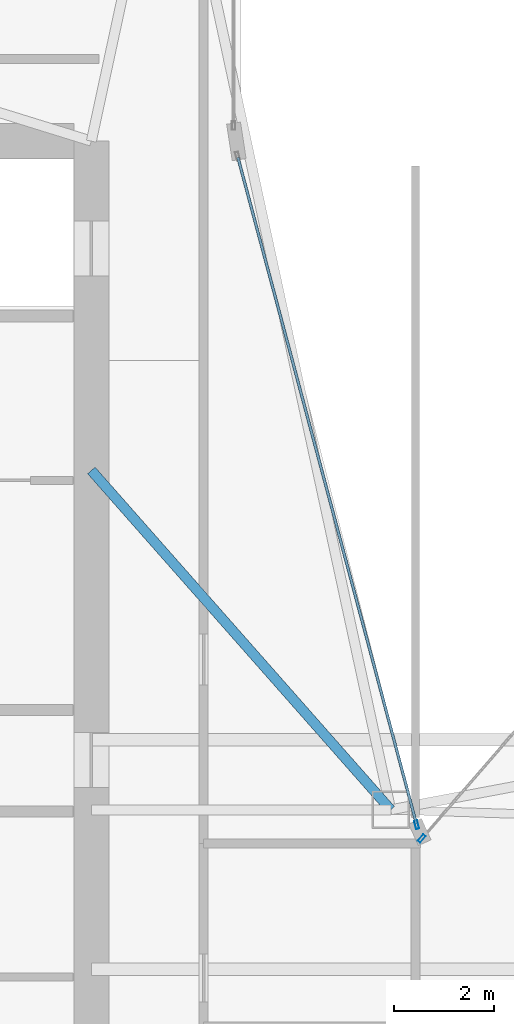
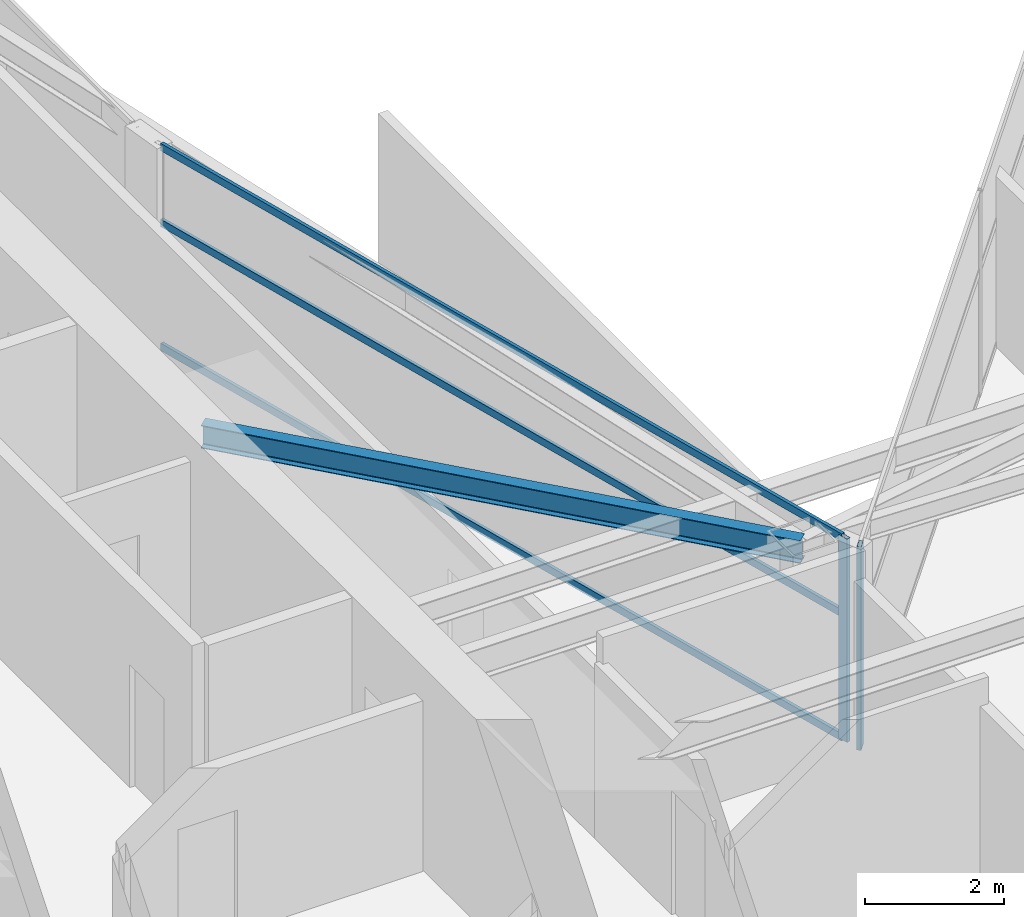
# One storey, part 11 of 29: 5 members, 1 beam, 2 elements without a shape of their own.
"""IFC4 building model written with IfcOpenShell, lengths in metres."""

import ifcopenshell
import ifcopenshell.guid

model = None  # the IFC model being written
_history = None  # IfcOwnerHistory: only IFC2X3 demands one
_inside = {}  # id of a spatial element -> (the spatial element, [elements in it])
_under = {}  # id of a project, library or spatial element -> (it, [spatial elements below it])
_declared = {}  # id of a project -> (the project, [libraries it declares])
_typed = {}  # id of a type object -> (the type object, [elements of that type])
_made_of = {}  # id of a material, layer set ... -> (it, [elements and type objects made of it])


def new_model(schema):
    """Start an empty IFC model of exactly this schema.

    Asked for "IFC4X3", IfcOpenShell would pick the latest addendum, in which some entities
    have other attributes; the version numbers below select the first issue.
    IFC2X3 requires an IfcOwnerHistory on every rooted entity: one is made here for all.
    """
    global model, _history
    if schema == "IFC4X3":
        model = ifcopenshell.file(schema_version=(4, 3, 0, 0))
    else:
        model = ifcopenshell.file(schema=schema)
    _inside.clear()
    _under.clear()
    _declared.clear()
    _typed.clear()
    _made_of.clear()
    _history = None
    if model.schema == "IFC2X3":
        org = make("IfcOrganization", Name="unknown")
        user = make(
            "IfcPersonAndOrganization",
            ThePerson=make("IfcPerson", FamilyName="unknown"),
            TheOrganization=org,
        )
        app = make(
            "IfcApplication",
            ApplicationDeveloper=org,
            Version="unknown",
            ApplicationFullName="unknown",
            ApplicationIdentifier="unknown",
        )
        _history = make(
            "IfcOwnerHistory",
            OwningUser=user,
            OwningApplication=app,
            ChangeAction="ADDED",
            CreationDate=0,
        )
    return model


def make(cls, **values):
    """One entity of the class cls with the attributes given. An attribute that is None is left unset."""
    return model.create_entity(
        cls, **{name: value for name, value in values.items() if value is not None}
    )


def rooted(cls, **values):
    """An entity with a GlobalId (a new one), such as an element, a storey or a relation."""
    return make(cls, GlobalId=ifcopenshell.guid.new(), OwnerHistory=_history, **values)


def si_unit(unit_type, name, prefix=None):
    """IfcSIUnit, for example si_unit("LENGTHUNIT", "METRE", prefix="MILLI")."""
    return make("IfcSIUnit", UnitType=unit_type, Prefix=prefix, Name=name)


def assignment(units):
    """IfcUnitAssignment: the units of a project."""
    return None if units is None else make("IfcUnitAssignment", Units=units)


def point(xyz):
    """IfcCartesianPoint."""
    return None if xyz is None else make("IfcCartesianPoint", Coordinates=xyz)


def direction(xyz):
    """IfcDirection."""
    return None if xyz is None else make("IfcDirection", DirectionRatios=xyz)


def frame(location, z_axis=None, x_axis=None):
    """IfcAxis2Placement3D, a coordinate frame: its origin and axes. An axis left out is left unset."""
    return make(
        "IfcAxis2Placement3D",
        Location=point(location),
        Axis=direction(z_axis),
        RefDirection=direction(x_axis),
    )


def frame_2d(location, x_axis=None):
    """IfcAxis2Placement2D, a coordinate frame in the plane: its origin and x axis."""
    return make(
        "IfcAxis2Placement2D", Location=point(location), RefDirection=direction(x_axis)
    )


def origin():
    """The frame at (0, 0, 0) with its axes left unset."""
    return frame((0.0, 0.0, 0.0))


def origin_2d():
    """The frame at (0, 0) in the plane with its x axis left unset."""
    return frame_2d((0.0, 0.0))


def place(relative_to, where):
    """IfcLocalPlacement: puts the frame where relative to a parent placement (None: the world)."""
    return make(
        "IfcLocalPlacement", PlacementRelTo=relative_to, RelativePlacement=where
    )


def context(
    kind, dimensions, precision=None, world=None, true_north=None, identifier=None
):
    """IfcGeometricRepresentationContext, for example the 3D "Model" context."""
    return make(
        "IfcGeometricRepresentationContext",
        ContextIdentifier=identifier,
        ContextType=kind,
        CoordinateSpaceDimension=dimensions,
        Precision=precision,
        WorldCoordinateSystem=world,
        TrueNorth=true_north,
    )


def subcontext(parent, identifier, kind, view, scale=None):
    """IfcGeometricRepresentationSubContext, for example "Body" below "Model"."""
    return make(
        "IfcGeometricRepresentationSubContext",
        ContextIdentifier=identifier,
        ContextType=kind,
        ParentContext=parent,
        TargetScale=scale,
        TargetView=view,
    )


def project(units=None, contexts=None):
    """IfcProject with its units and contexts."""
    return rooted(
        "IfcProject",
        Name="project",
        RepresentationContexts=contexts,
        UnitsInContext=assignment(units),
    )


def spatial(cls, under=None, at=None, **own):
    """A site, building, storey or space (cls), placed at a placement, below another one or the project."""
    s = rooted(cls, ObjectPlacement=at, **own)
    if under is not None:
        _under.setdefault(under.id(), (under, []))[1].append(s)
    return s


def profile(cls, at=None, kind="AREA", **sizes):
    """A parametric profile (cls). Its sizes go by their IFC names, for example OverallWidth=200.0."""
    return make(cls, ProfileType=kind, Position=at, **sizes)


def hollow_rectangle(**sizes):
    """IfcRectangleHollowProfileDef."""
    return profile("IfcRectangleHollowProfileDef", **sizes)


def i_section(**sizes):
    """IfcIShapeProfileDef."""
    return profile("IfcIShapeProfileDef", **sizes)


def extrude(swept, where, along, depth):
    """IfcExtrudedAreaSolid: the profile swept, set in the frame where, extruded along a direction by depth."""
    return make(
        "IfcExtrudedAreaSolid",
        SweptArea=swept,
        Position=where,
        ExtrudedDirection=direction(along),
        Depth=depth,
    )


def shape(context_of_items, identifier, shape_type, items):
    """IfcShapeRepresentation: the items that make up one representation, for example the "Body"."""
    return make(
        "IfcShapeRepresentation",
        ContextOfItems=context_of_items,
        RepresentationIdentifier=identifier,
        RepresentationType=shape_type,
        Items=items,
    )


def material(Name=None, Category=None):
    """IfcMaterial."""
    return make("IfcMaterial", Name=Name, Category=Category)


def layer(
    of_material, thickness, ventilated=None, Name=None, Category=None, Priority=None
):
    """IfcMaterialLayer: one layer of a wall or slab, of a material (None: an air gap)."""
    return make(
        "IfcMaterialLayer",
        Material=of_material,
        LayerThickness=thickness,
        IsVentilated=ventilated,
        Name=Name,
        Category=Category,
        Priority=Priority,
    )


def layer_set(layers, Name=None):
    """IfcMaterialLayerSet."""
    return make("IfcMaterialLayerSet", MaterialLayers=layers, LayerSetName=Name)


def material_profile(
    of_material, cross_section, Name=None, Category=None, Priority=None
):
    """IfcMaterialProfile: a cross section and its material."""
    return make(
        "IfcMaterialProfile",
        Name=Name,
        Material=of_material,
        Profile=cross_section,
        Priority=Priority,
        Category=Category,
    )


def profile_set(profiles, Name=None, composite=None):
    """IfcMaterialProfileSet."""
    return make(
        "IfcMaterialProfileSet",
        Name=Name,
        MaterialProfiles=profiles,
        CompositeProfile=composite,
    )


def made_of(thing, what):
    """Note that an element or type object is made of a material, layer set ...; save() writes the relation."""
    if what is not None:
        _made_of.setdefault(what.id(), (what, []))[1].append(thing)
    return thing


def type_object(cls, material=None, **own):
    """A type object (cls), such as IfcWallType, which elements share."""
    return made_of(rooted(cls, **own), material)


def element(
    cls,
    number,
    at=None,
    inside=None,
    cuts=None,
    type_object=None,
    material=None,
    context=None,
    identifier="Body",
    shape_type=None,
    held_by="IfcProductDefinitionShape",
    body=None,
    shapes=None,
    **own,
):
    """One element of the class cls, such as IfcWall. Its Tag is "e" and its number.

    at: its placement. inside: the storey or other place that contains it. cuts: it is an
    opening in that element (IfcRelVoidsElement). A single representation is given by context,
    identifier, shape_type and body (its items); several are given by shapes. held_by: the class
    of the entity that holds the representations. save() writes the other relations.
    """
    e = rooted(cls, Tag="e%d" % number, ObjectPlacement=at, **own)
    if body is not None:
        shapes = [shape(context, identifier, shape_type, body)]
    if shapes is not None:
        e.Representation = make(held_by, Representations=shapes)
    if inside is not None:
        _inside.setdefault(inside.id(), (inside, []))[1].append(e)
    if cuts is not None:
        rooted(
            "IfcRelVoidsElement", RelatingBuildingElement=cuts, RelatedOpeningElement=e
        )
    if type_object is not None:
        _typed.setdefault(type_object.id(), (type_object, []))[1].append(e)
    return made_of(e, material)


def aggregate(whole, parts):
    """IfcRelAggregates: a whole, such as a stair, and the parts it consists of."""
    return rooted("IfcRelAggregates", RelatingObject=whole, RelatedObjects=parts)


def save(model, path):
    """Write the relations noted so far, then the file.

    IfcRelAggregates (storeys below a building ...), IfcRelContainedInSpatialStructure (elements
    in a storey), IfcRelDefinesByType, IfcRelAssociatesMaterial and IfcRelDeclares: one each for
    every whole, place, type object, material and project.
    """
    for whole, parts in _under.values():
        aggregate(whole, parts)
    for where, things in _inside.values():
        rooted(
            "IfcRelContainedInSpatialStructure",
            RelatedElements=things,
            RelatingStructure=where,
        )
    for kind, things in _typed.values():
        rooted("IfcRelDefinesByType", RelatedObjects=things, RelatingType=kind)
    for what, things in _made_of.values():
        rooted("IfcRelAssociatesMaterial", RelatedObjects=things, RelatingMaterial=what)
    for by, libraries in _declared.values():
        rooted("IfcRelDeclares", RelatingContext=by, RelatedDefinitions=libraries)
    model.write(path)


model = new_model("IFC4")

# Units and contexts
model_context = context("Model", 3, precision=1e-05, world=origin(), true_north=direction((0.0, 1.0)))
body_context = subcontext(model_context, "Body", "Model", "MODEL_VIEW")
ifc_project = project(units=[si_unit("LENGTHUNIT", "METRE"), si_unit("AREAUNIT", "SQUARE_METRE"), si_unit("VOLUMEUNIT", "CUBIC_METRE"), si_unit("PLANEANGLEUNIT", "RADIAN"), si_unit("MASSUNIT", "GRAM", prefix="KILO")], contexts=[model_context])

# Site, building, storey
site_placement = place(None, origin())
site = spatial("IfcSite", under=ifc_project, at=site_placement, CompositionType="ELEMENT")
building_placement = place(site_placement, origin())
building = spatial("IfcBuilding", under=site, at=building_placement, Name="Calvorn Quay Hotel", CompositionType="ELEMENT")
storey_placement = place(building_placement, frame((0.0, 0.0, 251.39990234375)))
storey = spatial("IfcBuildingStorey", under=building, at=storey_placement, Name="L62", CompositionType="ELEMENT", Elevation=251.39990234375)

# Beam
ifc_material_1 = material(Name="Steel Q355B", Category="steel")
ifc_material_profile_1 = material_profile(ifc_material_1, i_section(OverallWidth=0.199951171875, OverallDepth=0.39990234375, WebThickness=0.008056640625, FlangeThickness=0.012939453125, FilletRadius=0.01611328125, at=origin_2d()), Name="HN400x200x8x13")
ifc_profile_set_1 = profile_set([ifc_material_profile_1], Name="Steel Q355B")
beam_type = type_object("IfcBeamType", Name="BM-JOIST-TYP", PredefinedType="JOIST", material=ifc_profile_set_1)
beam_placement = place(storey_placement, frame((15.0, 31.800048828125, 3.340087890625), z_axis=(0.661618965899, -0.749840212287, 0.0), x_axis=(0.749840212287, 0.661618965899, 0.0)))
element("IfcBeam", 1, at=beam_placement, inside=storey, type_object=beam_type, Name="Beam BJ-L62-C1", PredefinedType="JOIST", context=body_context, shape_type="SweptSolid", body=[
    extrude(i_section(OverallWidth=0.199951171875, OverallDepth=0.39990234375, WebThickness=0.008056640625, FlangeThickness=0.012939453125, FilletRadius=0.01611328125, at=origin_2d()), origin(), (0.0, 0.0, 1.0), 9.068603515625),
])

# Curtain wall, member
ifc_material_2 = material(Name="Champagne Bronze Anodised Aluminium and Low-E Glass", Category="aluminium")
ifc_layer = layer(ifc_material_2, 0.219970703125)
ifc_layer_set = layer_set([ifc_layer], Name="CW-SYS-Z4")
curtain_wall_type = type_object("IfcCurtainWallType", Name="CW-SYS-Z4", PredefinedType="NOTDEFINED", material=ifc_layer_set)
curtain_wall_1_placement = place(storey_placement, origin())
curtain_wall_1 = element("IfcCurtainWall", 2, at=curtain_wall_1_placement, inside=storey, type_object=curtain_wall_type, Name="Inner Court Curtain Wall L62-NE1", PredefinedType="NOTDEFINED")
ifc_material_3 = material(Name="Champagne Bronze Anodised Aluminium 6063-T6", Category="aluminium")
ifc_material_profile_2 = material_profile(ifc_material_3, hollow_rectangle(XDim=0.06494140625, YDim=0.169921875, WallThickness=0.00341796875, at=origin_2d()), Name="ALU-M170x65x3.5")
ifc_profile_set_2 = profile_set([ifc_material_profile_2], Name="Champagne Bronze Anodised Aluminium 6063-T6")
member_type_1 = type_object("IfcMemberType", Name="CW-SYS-Z4-MUL", PredefinedType="MULLION", material=ifc_profile_set_2)
member_1_placement = place(storey_placement, frame((21.61962890625, 24.422607421875, 0.0), z_axis=(0.0, 0.0, 1.0), x_axis=(0.755322467304, -0.655353317216, 0.0)))
member_1 = element("IfcMember", 3, at=member_1_placement, type_object=member_type_1, Name="CW-L62-NE1 mullion 3", PredefinedType="MULLION", context=body_context, shape_type="SweptSolid", body=[
    extrude(hollow_rectangle(XDim=0.06494140625, YDim=0.169921875, WallThickness=0.00341796875, at=origin_2d()), origin(), (0.0, 0.0, 1.0), 3.56005859375),
])
aggregate(curtain_wall_1, [member_1])

# Curtain wall, members
curtain_wall_2_placement = place(storey_placement, origin())
curtain_wall_2 = element("IfcCurtainWall", 4, at=curtain_wall_2_placement, inside=storey, type_object=curtain_wall_type, Name="Inner Court Curtain Wall L62-IC1", PredefinedType="NOTDEFINED")
member_2_placement = place(storey_placement, frame((21.520263671875, 24.698974609375, 0.0), z_axis=(0.0, 0.0, 1.0), x_axis=(-0.96593652056, -0.25877913024, 0.0)))
member_2 = element("IfcMember", 5, at=member_2_placement, type_object=member_type_1, Name="CW-L62-IC1 mullion 1", PredefinedType="MULLION", context=body_context, shape_type="SweptSolid", body=[
    extrude(hollow_rectangle(XDim=0.06494140625, YDim=0.169921875, WallThickness=0.00341796875, at=origin_2d()), origin(), (0.0, 0.0, 1.0), 3.56005859375),
])
ifc_material_4 = material(Name="Champagne Bronze Anodised Aluminium 6063-T6", Category="aluminium")
ifc_material_profile_3 = material_profile(ifc_material_4, hollow_rectangle(XDim=0.054931640625, YDim=0.1298828125, WallThickness=0.003173828125, at=origin_2d()), Name="ALU-T130x55x3.2")
ifc_profile_set_3 = profile_set([ifc_material_profile_3], Name="Champagne Bronze Anodised Aluminium 6063-T6")
member_type_2 = type_object("IfcMemberType", Name="CW-SYS-Z4-TRN", PredefinedType="USERDEFINED", material=ifc_profile_set_3)
member_3_placement = place(storey_placement, frame((21.512451171875, 24.72802734375, 0.030029296875), z_axis=(-0.258781136883, 0.965935982969, 0.0), x_axis=(-0.965935982969, -0.258781136883, 0.0)))
member_3 = element("IfcMember", 6, at=member_3_placement, type_object=member_type_2, Name="CW-L62-IC1 transom 1.1", ObjectType="TRANSOM", PredefinedType="USERDEFINED", context=body_context, shape_type="SweptSolid", body=[
    extrude(hollow_rectangle(XDim=0.054931640625, YDim=0.1298828125, WallThickness=0.003173828125, at=origin_2d()), origin(), (0.0, 0.0, 1.0), 13.814453125),
])
member_4_placement = place(storey_placement, frame((21.512451171875, 24.72802734375, 2.2001953125), z_axis=(-0.258781136883, 0.965935982969, 0.0), x_axis=(-0.965935982969, -0.258781136883, 0.0)))
member_4 = element("IfcMember", 7, at=member_4_placement, type_object=member_type_2, Name="CW-L62-IC1 transom 1.2", ObjectType="TRANSOM", PredefinedType="USERDEFINED", context=body_context, shape_type="SweptSolid", body=[
    extrude(hollow_rectangle(XDim=0.054931640625, YDim=0.1298828125, WallThickness=0.003173828125, at=origin_2d()), origin(), (0.0, 0.0, 1.0), 13.814453125),
])
member_5_placement = place(storey_placement, frame((21.512451171875, 24.72802734375, 3.530029296875), z_axis=(-0.258781136883, 0.965935982969, 0.0), x_axis=(-0.965935982969, -0.258781136883, 0.0)))
member_5 = element("IfcMember", 8, at=member_5_placement, type_object=member_type_2, Name="CW-L62-IC1 transom 1.3", ObjectType="TRANSOM", PredefinedType="USERDEFINED", context=body_context, shape_type="SweptSolid", body=[
    extrude(hollow_rectangle(XDim=0.054931640625, YDim=0.1298828125, WallThickness=0.003173828125, at=origin_2d()), origin(), (0.0, 0.0, 1.0), 13.814453125),
])
aggregate(curtain_wall_2, [member_2, member_3, member_4, member_5])

save(model, "model.ifc")
